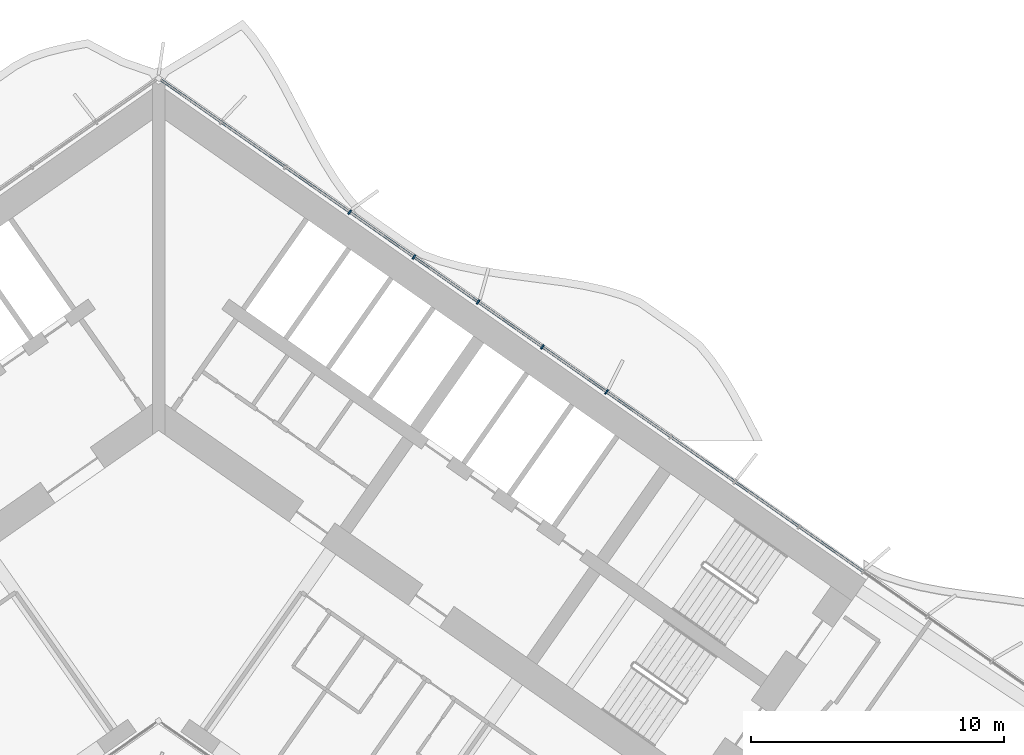
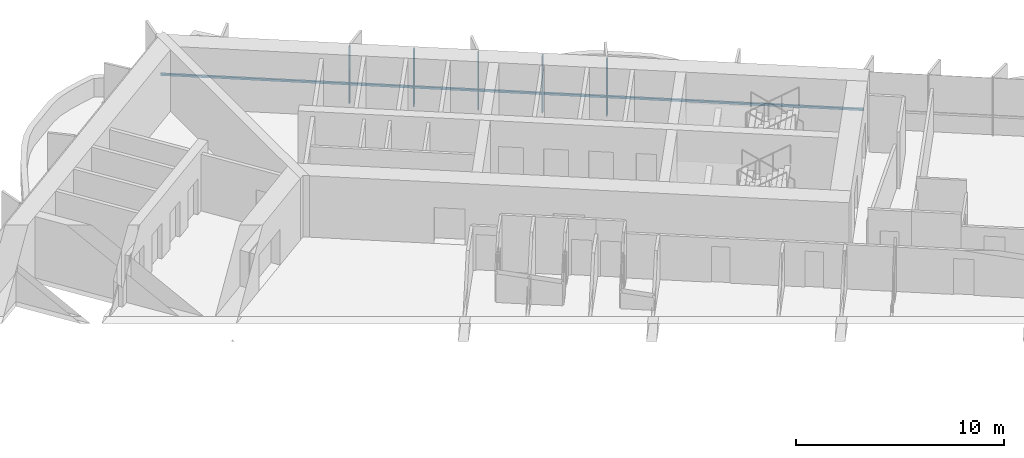
# One storey, part 8 of 23: 6 members, 1 element without a shape of its own.
"""IFC4 building model written with IfcOpenShell, lengths in metres."""

from ifc_helpers import new_model, si_unit, direction, frame, origin, origin_2d, place, context, subcontext, project, spatial, rectangle, extrude, material, material_profile, profile_set, type_object, element, aggregate, save


model = new_model("IFC4")

# Units and contexts
model_context = context("Model", 3, precision=1e-05, world=origin(), true_north=direction((0.0, 1.0)))
body_context = subcontext(model_context, "Body", "Model", "MODEL_VIEW")
ifc_project = project(units=[si_unit("LENGTHUNIT", "METRE"), si_unit("AREAUNIT", "SQUARE_METRE"), si_unit("VOLUMEUNIT", "CUBIC_METRE"), si_unit("PLANEANGLEUNIT", "RADIAN"), si_unit("MASSUNIT", "GRAM", prefix="KILO")], contexts=[model_context])

# Site, building, storey
site_placement = place(None, origin())
site = spatial("IfcSite", under=ifc_project, at=site_placement, CompositionType="ELEMENT")
building_placement = place(site_placement, origin())
building = spatial("IfcBuilding", under=site, at=building_placement, Name="Tel Ilan Convention Tower", CompositionType="ELEMENT")
storey_placement = place(building_placement, frame((0.0, 0.0, 119.300048828125)))
storey = spatial("IfcBuildingStorey", under=building, at=storey_placement, Name="L26", CompositionType="ELEMENT", Elevation=119.300048828125)

# Curtain wall, members
ifc_material_1 = material(Name="Aluminium, bronze anodised", Category="aluminium")
curtain_wall_type = type_object("IfcCurtainWallType", Name="CW2 STICK CURTAIN WALL, SPANDREL PANELS", PredefinedType="NOTDEFINED", material=ifc_material_1)
curtain_wall_placement = place(storey_placement, origin())
curtain_wall = element("IfcCurtainWall", 1, at=curtain_wall_placement, inside=storey, type_object=curtain_wall_type, Name="Curtain wall CW2-20.01", PredefinedType="NOTDEFINED")
ifc_material_2 = material(Name="Aluminium, bronze anodised", Category="aluminium")
ifc_material_profile_1 = material_profile(ifc_material_2, rectangle(XDim=0.06005859375, YDim=0.199951171875, at=origin_2d()), Name="CW MULLION 60x200")
ifc_profile_set_1 = profile_set([ifc_material_profile_1], Name="Aluminium, bronze anodised")
member_type_1 = type_object("IfcMemberType", Name="CW MULLION 60x200", PredefinedType="MULLION", material=ifc_profile_set_1)
member_1_placement = place(storey_placement, frame((17.701171875, 0.301513671875, 0.0), z_axis=(0.0, 0.0, 1.0), x_axis=(-0.819152044289, 0.573576436351, 0.0)))
member_1 = element("IfcMember", 2, at=member_1_placement, type_object=member_type_1, Name="Mullion", PredefinedType="MULLION", context=body_context, shape_type="SweptSolid", body=[
    extrude(rectangle(XDim=0.06005859375, YDim=0.199951171875, at=origin_2d()), origin(), (0.0, 0.0, 1.0), 3.320068359375),
])
member_2_placement = place(storey_placement, frame((15.1640625, 2.077880859375, 0.0), z_axis=(0.0, 0.0, 1.0), x_axis=(-0.819152044289, 0.573576436351, 0.0)))
member_2 = element("IfcMember", 3, at=member_2_placement, type_object=member_type_1, Name="Mullion", PredefinedType="MULLION", context=body_context, shape_type="SweptSolid", body=[
    extrude(rectangle(XDim=0.06005859375, YDim=0.199951171875, at=origin_2d()), origin(), (0.0, 0.0, 1.0), 3.320068359375),
])
member_3_placement = place(storey_placement, frame((12.627197265625, 3.854248046875, 0.0), z_axis=(0.0, 0.0, 1.0), x_axis=(-0.819152044289, 0.573576436351, 0.0)))
member_3 = element("IfcMember", 4, at=member_3_placement, type_object=member_type_1, Name="Mullion", PredefinedType="MULLION", context=body_context, shape_type="SweptSolid", body=[
    extrude(rectangle(XDim=0.06005859375, YDim=0.199951171875, at=origin_2d()), origin(), (0.0, 0.0, 1.0), 3.320068359375),
])
member_4_placement = place(storey_placement, frame((10.09033203125, 5.630615234375, 0.0), z_axis=(0.0, 0.0, 1.0), x_axis=(-0.819152044289, 0.573576436351, 0.0)))
member_4 = element("IfcMember", 5, at=member_4_placement, type_object=member_type_1, Name="Mullion", PredefinedType="MULLION", context=body_context, shape_type="SweptSolid", body=[
    extrude(rectangle(XDim=0.06005859375, YDim=0.199951171875, at=origin_2d()), origin(), (0.0, 0.0, 1.0), 3.320068359375),
])
member_5_placement = place(storey_placement, frame((7.553466796875, 7.406982421875, 0.0), z_axis=(0.0, 0.0, 1.0), x_axis=(-0.819152044289, 0.573576436351, 0.0)))
member_5 = element("IfcMember", 6, at=member_5_placement, type_object=member_type_1, Name="Mullion", PredefinedType="MULLION", context=body_context, shape_type="SweptSolid", body=[
    extrude(rectangle(XDim=0.06005859375, YDim=0.199951171875, at=origin_2d()), origin(), (0.0, 0.0, 1.0), 3.320068359375),
])
ifc_material_3 = material(Name="Aluminium, bronze anodised", Category="aluminium")
ifc_material_profile_2 = material_profile(ifc_material_3, rectangle(XDim=0.10009765625, YDim=0.1201171875, at=origin_2d()), Name="CW TRANSOM 100x120")
ifc_profile_set_2 = profile_set([ifc_material_profile_2], Name="Aluminium, bronze anodised")
member_type_2 = type_object("IfcMemberType", Name="CW TRANSOM 100x120", PredefinedType="USERDEFINED", material=ifc_profile_set_2)
member_6_placement = place(storey_placement, frame((27.82421875, -6.78662109375, 1.099853515625), z_axis=(-0.819151916241, 0.573576619222, 0.0), x_axis=(-0.573576619222, -0.819151916241, 0.0)))
member_6 = element("IfcMember", 7, at=member_6_placement, type_object=member_type_2, Name="Transom", ObjectType="TRANSOM", PredefinedType="USERDEFINED", context=body_context, shape_type="SweptSolid", body=[
    extrude(rectangle(XDim=0.10009765625, YDim=0.1201171875, at=origin_2d()), origin(), (0.0, 0.0, 1.0), 33.837158203125),
])
aggregate(curtain_wall, [member_1, member_2, member_3, member_4, member_5, member_6])

save(model, "model.ifc")
